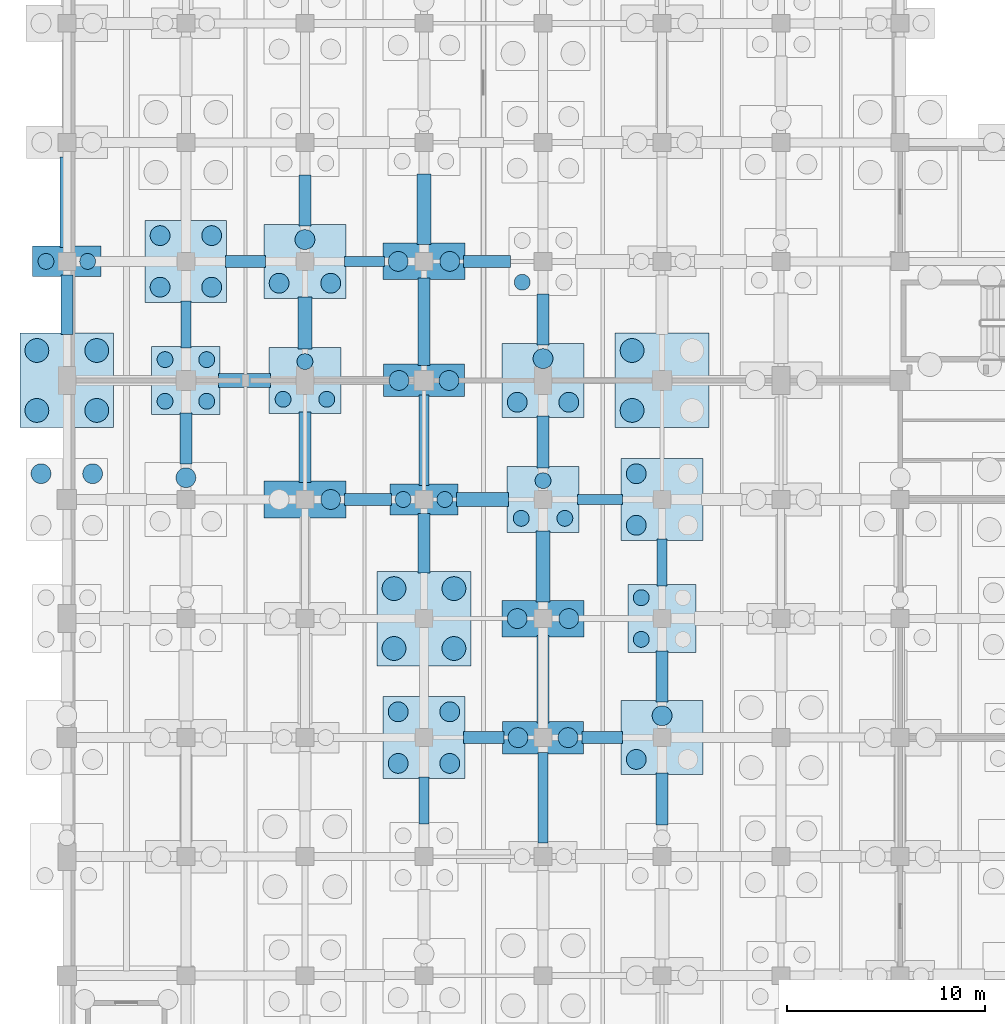
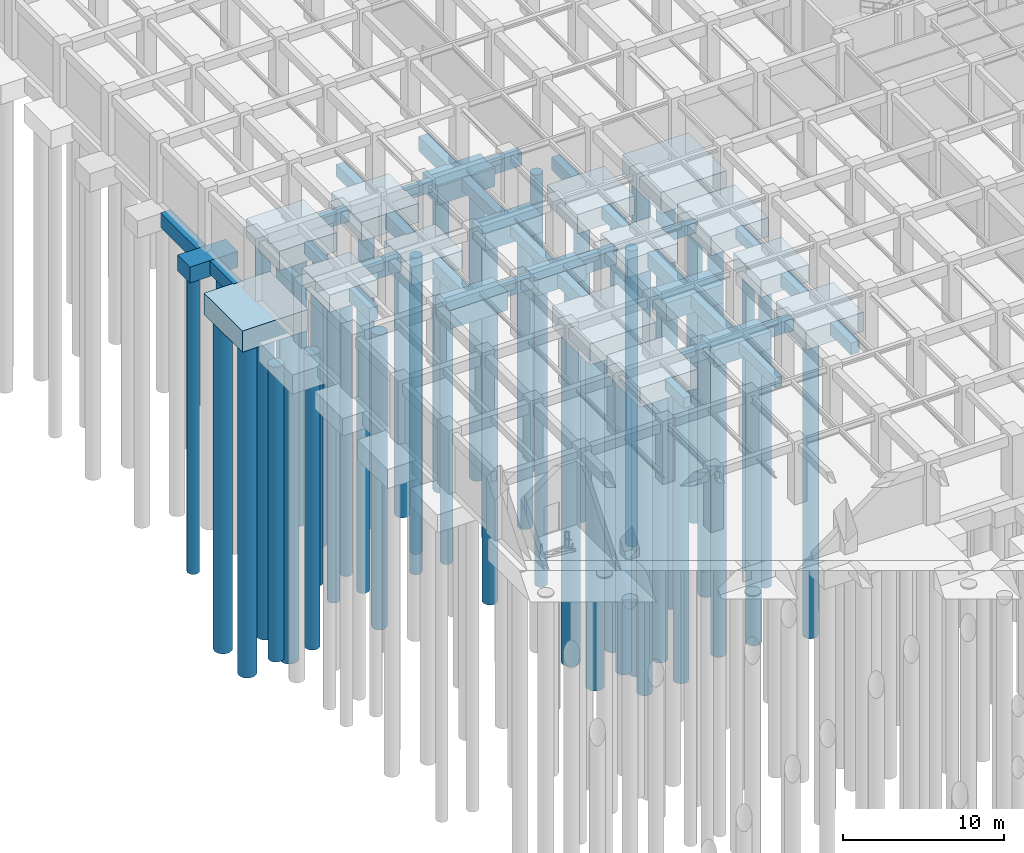
# One storey, part 9 of 54: 57 piles, 49 footings.
"""IFC4 building model written with IfcOpenShell, lengths in metres."""

from ifc_helpers import new_model, si_unit, direction, frame, origin, origin_2d, place, context, subcontext, project, spatial, rectangle, circle, extrude, material, material_profile, profile_set, type_object, element, save


model = new_model("IFC4")

# Units and contexts
model_context = context("Model", 3, precision=1e-05, world=origin(), true_north=direction((0.0, 1.0)))
body_context = subcontext(model_context, "Body", "Model", "MODEL_VIEW")
ifc_project = project(units=[si_unit("LENGTHUNIT", "METRE"), si_unit("AREAUNIT", "SQUARE_METRE"), si_unit("VOLUMEUNIT", "CUBIC_METRE"), si_unit("PLANEANGLEUNIT", "RADIAN"), si_unit("MASSUNIT", "GRAM", prefix="KILO"), si_unit("THERMODYNAMICTEMPERATUREUNIT", "KELVIN"), si_unit("POWERUNIT", "WATT")], contexts=[model_context])

# Site, building, storey
site_placement = place(None, origin())
site = spatial("IfcSite", under=ifc_project, at=site_placement, CompositionType="ELEMENT")
building_placement = place(site_placement, origin())
building = spatial("IfcBuilding", under=site, at=building_placement, Name="Phaisarnlok Congress Hotel", CompositionType="ELEMENT")
storey_placement = place(building_placement, frame((0.0, 0.0, -4.800048828125)))
storey = spatial("IfcBuildingStorey", under=building, at=storey_placement, Name="B01", CompositionType="ELEMENT", Elevation=-4.800048828125)

# Footings
ifc_material_1 = material(Name="Concrete C40/50", Category="concrete")
footing_type_1 = type_object("IfcFootingType", Name="CAP-2P-A", PredefinedType="PILE_CAP", material=ifc_material_1)
for number, where, z_axis, x_axis, name in (
    (1, (0.0, 90.0, -1.69970703125), (0.0, 0.0, 1.0), (1.0, 0.0, 0.0), "Pile cap PC-01 at (0,90)"),
    (2, (18.0, 78.0, -1.69970703125), (0.0, 0.0, 1.0), (1.0, 0.0, 0.0), "Pile cap PC-01 at (18,78)"),
):
    element("IfcFooting", number, at=place(storey_placement, frame(where, z_axis=z_axis, x_axis=x_axis)), inside=storey, type_object=footing_type_1, Name=name, PredefinedType="PILE_CAP", context=body_context, shape_type="SweptSolid", body=[
        extrude(rectangle(XDim=3.43994140625, YDim=1.5400390625, at=origin_2d()), origin(), (0.0, 0.0, 1.0), 1.199951171875),
    ])
footing_type_2 = type_object("IfcFootingType", Name="CAP-2P-B", PredefinedType="PILE_CAP", material=ifc_material_1)
for number, where, z_axis, x_axis, name in (
    (3, (18.0, 84.0, -1.7998046875), (0.0, 0.0, 1.0), (1.0, 0.0, 0.0), "Pile cap PC-02 at (18,84)"),
    (4, (24.0, 66.0, -1.7998046875), (0.0, 0.0, 1.0), (1.0, 0.0, 0.0), "Pile cap PC-02 at (24,66)"),
):
    element("IfcFooting", number, at=place(storey_placement, frame(where, z_axis=z_axis, x_axis=x_axis)), inside=storey, type_object=footing_type_2, Name=name, PredefinedType="PILE_CAP", context=body_context, shape_type="SweptSolid", body=[
        extrude(rectangle(XDim=4.080078125, YDim=1.639892578125, at=origin_2d()), origin(), (0.0, 0.0, 1.0), 1.300048828125),
    ])
footing_type_3 = type_object("IfcFootingType", Name="CAP-2P-C", PredefinedType="PILE_CAP", material=ifc_material_1)
for number, where, z_axis, x_axis, name in (
    (5, (12.0, 78.0, -1.89990234375), (0.0, 0.0, 1.0), (1.0, 0.0, 0.0), "Pile cap PC-03 at (12,78)"),
    (6, (18.0, 90.0, -1.89990234375), (0.0, 0.0, 1.0), (1.0, 0.0, 0.0), "Pile cap PC-03 at (18,90)"),
    (7, (24.0, 72.0, -1.89990234375), (0.0, 0.0, 1.0), (1.0, 0.0, 0.0), "Pile cap PC-03 at (24,72)"),
):
    element("IfcFooting", number, at=place(storey_placement, frame(where, z_axis=z_axis, x_axis=x_axis)), inside=storey, type_object=footing_type_3, Name=name, PredefinedType="PILE_CAP", context=body_context, shape_type="SweptSolid", body=[
        extrude(rectangle(XDim=4.1201171875, YDim=1.840087890625, at=origin_2d()), origin(), (0.0, 0.0, 1.0), 1.39990234375),
    ])
footing_type_4 = type_object("IfcFootingType", Name="CAP-3P-A", PredefinedType="PILE_CAP", material=ifc_material_1)
for number, where, z_axis, x_axis, name in (
    (8, (12.0, 84.0, -1.85009765625), (0.0, 0.0, 1.0), (1.0, 0.0, 0.0), "Pile cap PC-04 at (12,84)"),
    (9, (24.0, 78.0, -1.85009765625), (0.0, 0.0, 1.0), (1.0, 0.0, 0.0), "Pile cap PC-04 at (24,78)"),
):
    element("IfcFooting", number, at=place(storey_placement, frame(where, z_axis=z_axis, x_axis=x_axis)), inside=storey, type_object=footing_type_4, Name=name, PredefinedType="PILE_CAP", context=body_context, shape_type="SweptSolid", body=[
        extrude(rectangle(XDim=3.639892578125, YDim=3.340087890625, at=origin_2d()), origin(), (0.0, 0.0, 1.0), 1.35009765625),
    ])
footing_type_5 = type_object("IfcFootingType", Name="CAP-3P-B", PredefinedType="PILE_CAP", material=ifc_material_1)
for number, where, z_axis, x_axis, name in (
    (10, (12.0, 90.0, -1.94970703125), (0.0, 0.0, 1.0), (1.0, 0.0, 0.0), "Pile cap PC-05 at (12,90)"),
    (11, (24.0, 84.0, -1.94970703125), (0.0, 0.0, 1.0), (1.0, 0.0, 0.0), "Pile cap PC-05 at (24,84)"),
    (12, (30.0, 66.0, -1.94970703125), (0.0, 0.0, 1.0), (1.0, 0.0, 0.0), "Pile cap PC-05 at (30,66)"),
):
    element("IfcFooting", number, at=place(storey_placement, frame(where, z_axis=z_axis, x_axis=x_axis)), inside=storey, type_object=footing_type_5, Name=name, PredefinedType="PILE_CAP", context=body_context, shape_type="SweptSolid", body=[
        extrude(rectangle(XDim=4.1201171875, YDim=3.739990234375, at=origin_2d()), origin(), (0.0, 0.0, 1.0), 1.449951171875),
    ])
footing_type_6 = type_object("IfcFootingType", Name="CAP-4P-A", PredefinedType="PILE_CAP", material=ifc_material_1)
for number, where, z_axis, x_axis, name in (
    (13, (6.0, 84.0, -1.7998046875), (0.0, 0.0, 1.0), (1.0, 0.0, 0.0), "Pile cap PC-06 at (6,84)"),
    (14, (30.0, 72.0, -1.7998046875), (0.0, 0.0, 1.0), (1.0, 0.0, 0.0), "Pile cap PC-06 at (30,72)"),
):
    element("IfcFooting", number, at=place(storey_placement, frame(where, z_axis=z_axis, x_axis=x_axis)), inside=storey, type_object=footing_type_6, Name=name, PredefinedType="PILE_CAP", context=body_context, shape_type="SweptSolid", body=[
        extrude(rectangle(XDim=3.43994140625, YDim=3.43994140625, at=origin_2d()), origin(), (0.0, 0.0, 1.0), 1.300048828125),
    ])
footing_type_7 = type_object("IfcFootingType", Name="CAP-4P-B", PredefinedType="PILE_CAP", material=ifc_material_1)
for number, where, z_axis, x_axis, name in (
    (15, (6.0, 90.0, -1.94970703125), (0.0, 0.0, 1.0), (1.0, 0.0, 0.0), "Pile cap PC-07 at (6,90)"),
    (16, (18.0, 66.0, -1.94970703125), (0.0, 0.0, 1.0), (1.0, 0.0, 0.0), "Pile cap PC-07 at (18,66)"),
    (17, (30.0, 78.0, -1.94970703125), (0.0, 0.0, 1.0), (1.0, 0.0, 0.0), "Pile cap PC-07 at (30,78)"),
):
    element("IfcFooting", number, at=place(storey_placement, frame(where, z_axis=z_axis, x_axis=x_axis)), inside=storey, type_object=footing_type_7, Name=name, PredefinedType="PILE_CAP", context=body_context, shape_type="SweptSolid", body=[
        extrude(rectangle(XDim=4.1201171875, YDim=4.1201171875, at=origin_2d()), origin(), (0.0, 0.0, 1.0), 1.449951171875),
    ])
footing_type_8 = type_object("IfcFootingType", Name="CAP-4P-C", PredefinedType="PILE_CAP", material=ifc_material_1)
for number, where, z_axis, x_axis, name in (
    (18, (0.0, 84.0, -2.10009765625), (0.0, 0.0, 1.0), (1.0, 0.0, 0.0), "Pile cap PC-08 at (0,84)"),
    (19, (18.0, 72.0, -2.10009765625), (0.0, 0.0, 1.0), (1.0, 0.0, 0.0), "Pile cap PC-08 at (18,72)"),
    (20, (30.0, 84.0, -2.10009765625), (0.0, 0.0, 1.0), (1.0, 0.0, 0.0), "Pile cap PC-08 at (30,84)"),
):
    element("IfcFooting", number, at=place(storey_placement, frame(where, z_axis=z_axis, x_axis=x_axis)), inside=storey, type_object=footing_type_8, Name=name, PredefinedType="PILE_CAP", context=body_context, shape_type="SweptSolid", body=[
        extrude(rectangle(XDim=4.719970703125, YDim=4.760009765625, at=origin_2d()), origin(), (0.0, 0.0, 1.0), 1.60009765625),
    ])
ifc_material_profile_1 = material_profile(ifc_material_1, rectangle(XDim=0.5, YDim=0.800048828125, at=origin_2d()), Name="FB-500x800")
ifc_profile_set_1 = profile_set([ifc_material_profile_1], Name="Concrete C40/50")
footing_type_9 = type_object("IfcFootingType", Name="FB-500x800", PredefinedType="FOOTING_BEAM", material=ifc_profile_set_1)
footing_1_placement = place(storey_placement, frame((6.0, 85.64501953125, -0.89990234375), z_axis=(0.0, 1.0, 0.0), x_axis=(-1.0, 0.0, 0.0)))
element("IfcFooting", 21, at=footing_1_placement, inside=storey, type_object=footing_type_9, Name="Ground tie beam FB-01", PredefinedType="FOOTING_BEAM", context=body_context, shape_type="SweptSolid", body=[
    extrude(rectangle(XDim=0.5, YDim=0.800048828125, at=origin_2d()), origin(), (0.0, 0.0, 1.0), 2.369873046875),
])
footing_2_placement = place(storey_placement, frame((13.985107421875, 90.0, -0.89990234375), z_axis=(1.0, 0.0, 0.0), x_axis=(0.0, 1.0, 0.0)))
element("IfcFooting", 22, at=footing_2_placement, inside=storey, type_object=footing_type_9, Name="Ground tie beam FB-01", PredefinedType="FOOTING_BEAM", context=body_context, shape_type="SweptSolid", body=[
    extrude(rectangle(XDim=0.5, YDim=0.800048828125, at=origin_2d()), origin(), (0.0, 0.0, 1.0), 2.02978515625),
])
footing_3_placement = place(storey_placement, frame((18.0, 61.64501953125, -0.89990234375), z_axis=(0.0, 1.0, 0.0), x_axis=(-1.0, 0.0, 0.0)))
element("IfcFooting", 23, at=footing_3_placement, inside=storey, type_object=footing_type_9, Name="Ground tie beam FB-01", PredefinedType="FOOTING_BEAM", context=body_context, shape_type="SweptSolid", body=[
    extrude(rectangle(XDim=0.5, YDim=0.800048828125, at=origin_2d()), origin(), (0.0, 0.0, 1.0), 2.369873046875),
])
for number, where, z_axis, x_axis, name in (
    (24, (18.0, 78.695068359375, -0.89990234375), (0.0, 1.0, 0.0), (-1.0, 0.0, 0.0), "Ground tie beam FB-01"),
    (25, (24.0, 60.695068359375, -0.89990234375), (0.0, 1.0, 0.0), (-1.0, 0.0, 0.0), "Ground tie beam FB-01"),
):
    element("IfcFooting", number, at=place(storey_placement, frame(where, z_axis=z_axis, x_axis=x_axis)), inside=storey, type_object=footing_type_9, Name=name, PredefinedType="FOOTING_BEAM", context=body_context, shape_type="SweptSolid", body=[
        extrude(rectangle(XDim=0.5, YDim=0.800048828125, at=origin_2d()), origin(), (0.0, 0.0, 1.0), 4.559814453125),
    ])
footing_4_placement = place(storey_placement, frame((25.7451171875, 78.0, -0.89990234375), z_axis=(1.0, 0.0, 0.0), x_axis=(0.0, 1.0, 0.0)))
element("IfcFooting", 26, at=footing_4_placement, inside=storey, type_object=footing_type_9, Name="Ground tie beam FB-01", PredefinedType="FOOTING_BEAM", context=body_context, shape_type="SweptSolid", body=[
    extrude(rectangle(XDim=0.5, YDim=0.800048828125, at=origin_2d()), origin(), (0.0, 0.0, 1.0), 2.269775390625),
])
footing_5_placement = place(storey_placement, frame((30.0, 73.64501953125, -0.89990234375), z_axis=(0.0, 1.0, 0.0), x_axis=(-1.0, 0.0, 0.0)))
element("IfcFooting", 27, at=footing_5_placement, inside=storey, type_object=footing_type_9, Name="Ground tie beam FB-01", PredefinedType="FOOTING_BEAM", context=body_context, shape_type="SweptSolid", body=[
    extrude(rectangle(XDim=0.5, YDim=0.800048828125, at=origin_2d()), origin(), (0.0, 0.0, 1.0), 2.369873046875),
])
ifc_material_profile_2 = material_profile(ifc_material_1, rectangle(XDim=0.60009765625, YDim=1.0, at=origin_2d()), Name="FB-600x1000")
ifc_profile_set_2 = profile_set([ifc_material_profile_2], Name="Concrete C40/50")
footing_type_10 = type_object("IfcFootingType", Name="FB-600x1000", PredefinedType="FOOTING_BEAM", material=ifc_profile_set_2)
footing_6_placement = place(storey_placement, frame((0.0, 86.304931640625, -1.0), z_axis=(0.0, 1.0, 0.0), x_axis=(-1.0, 0.0, 0.0)))
element("IfcFooting", 28, at=footing_6_placement, inside=storey, type_object=footing_type_10, Name="Ground tie beam FB-03", PredefinedType="FOOTING_BEAM", context=body_context, shape_type="SweptSolid", body=[
    extrude(rectangle(XDim=0.60009765625, YDim=1.0, at=origin_2d()), origin(), (0.0, 0.0, 1.0), 3.0),
])
footing_7_placement = place(storey_placement, frame((6.0, 79.794921875, -1.0), z_axis=(0.0, 1.0, 0.0), x_axis=(-1.0, 0.0, 0.0)))
element("IfcFooting", 29, at=footing_7_placement, inside=storey, type_object=footing_type_10, Name="Ground tie beam FB-03", PredefinedType="FOOTING_BEAM", context=body_context, shape_type="SweptSolid", body=[
    extrude(rectangle(XDim=0.60009765625, YDim=1.0, at=origin_2d()), origin(), (0.0, 0.0, 1.0), 2.56005859375),
])
footing_8_placement = place(storey_placement, frame((12.0, 78.844970703125, -1.0), z_axis=(0.0, 1.0, 0.0), x_axis=(-1.0, 0.0, 0.0)))
element("IfcFooting", 30, at=footing_8_placement, inside=storey, type_object=footing_type_10, Name="Ground tie beam FB-03", PredefinedType="FOOTING_BEAM", context=body_context, shape_type="SweptSolid", body=[
    extrude(rectangle(XDim=0.60009765625, YDim=1.0, at=origin_2d()), origin(), (0.0, 0.0, 1.0), 3.56005859375),
])
footing_9_placement = place(storey_placement, frame((18.0, 74.304931640625, -1.0), z_axis=(0.0, 1.0, 0.0), x_axis=(-1.0, 0.0, 0.0)))
element("IfcFooting", 31, at=footing_9_placement, inside=storey, type_object=footing_type_10, Name="Ground tie beam FB-03", PredefinedType="FOOTING_BEAM", context=body_context, shape_type="SweptSolid", body=[
    extrude(rectangle(XDim=0.60009765625, YDim=1.0, at=origin_2d()), origin(), (0.0, 0.0, 1.0), 3.0),
])
footing_10_placement = place(storey_placement, frame((19.985107421875, 90.0, -1.0), z_axis=(1.0, 0.0, 0.0), x_axis=(0.0, 1.0, 0.0)))
element("IfcFooting", 32, at=footing_10_placement, inside=storey, type_object=footing_type_10, Name="Ground tie beam FB-03", PredefinedType="FOOTING_BEAM", context=body_context, shape_type="SweptSolid", body=[
    extrude(rectangle(XDim=0.60009765625, YDim=1.0, at=origin_2d()), origin(), (0.0, 0.0, 1.0), 2.369873046875),
])
footing_11_placement = place(storey_placement, frame((24.0, 66.7451171875, -1.0), z_axis=(0.0, 1.0, 0.0), x_axis=(-1.0, 0.0, 0.0)))
element("IfcFooting", 33, at=footing_11_placement, inside=storey, type_object=footing_type_10, Name="Ground tie beam FB-03", PredefinedType="FOOTING_BEAM", context=body_context, shape_type="SweptSolid", body=[
    extrude(rectangle(XDim=0.60009765625, YDim=1.0, at=origin_2d()), origin(), (0.0, 0.0, 1.0), 4.409912109375),
])
for number, where, z_axis, x_axis, name in (
    (34, (24.0, 85.794921875, -1.0), (0.0, 1.0, 0.0), (-1.0, 0.0, 0.0), "Ground tie beam FB-03"),
    (35, (30.0, 67.794921875, -1.0), (0.0, 1.0, 0.0), (-1.0, 0.0, 0.0), "Ground tie beam FB-03"),
):
    element("IfcFooting", number, at=place(storey_placement, frame(where, z_axis=z_axis, x_axis=x_axis)), inside=storey, type_object=footing_type_10, Name=name, PredefinedType="FOOTING_BEAM", context=body_context, shape_type="SweptSolid", body=[
        extrude(rectangle(XDim=0.60009765625, YDim=1.0, at=origin_2d()), origin(), (0.0, 0.0, 1.0), 2.56005859375),
    ])
ifc_material_profile_3 = material_profile(ifc_material_1, rectangle(XDim=0.60009765625, YDim=0.89990234375, at=origin_2d()), Name="FB-600x900")
ifc_profile_set_3 = profile_set([ifc_material_profile_3], Name="Concrete C40/50")
footing_type_11 = type_object("IfcFootingType", Name="FB-600x900", PredefinedType="FOOTING_BEAM", material=ifc_profile_set_3)
footing_12_placement = place(storey_placement, frame((7.985107421875, 90.0, -0.949951171875), z_axis=(1.0, 0.0, 0.0), x_axis=(0.0, 1.0, 0.0)))
element("IfcFooting", 36, at=footing_12_placement, inside=storey, type_object=footing_type_11, Name="Ground tie beam FB-02", PredefinedType="FOOTING_BEAM", context=body_context, shape_type="SweptSolid", body=[
    extrude(rectangle(XDim=0.60009765625, YDim=0.89990234375, at=origin_2d()), origin(), (0.0, 0.0, 1.0), 2.02978515625),
])
footing_13_placement = place(storey_placement, frame((13.985107421875, 78.0, -0.949951171875), z_axis=(1.0, 0.0, 0.0), x_axis=(0.0, 1.0, 0.0)))
element("IfcFooting", 37, at=footing_13_placement, inside=storey, type_object=footing_type_11, Name="Ground tie beam FB-02", PredefinedType="FOOTING_BEAM", context=body_context, shape_type="SweptSolid", body=[
    extrude(rectangle(XDim=0.60009765625, YDim=0.89990234375, at=origin_2d()), origin(), (0.0, 0.0, 1.0), 2.369873046875),
])
footing_14_placement = place(storey_placement, frame((12.0, 91.794921875, -0.949951171875), z_axis=(0.0, 1.0, 0.0), x_axis=(-1.0, 0.0, 0.0)))
element("IfcFooting", 38, at=footing_14_placement, inside=storey, type_object=footing_type_11, Name="Ground tie beam FB-02", PredefinedType="FOOTING_BEAM", context=body_context, shape_type="SweptSolid", body=[
    extrude(rectangle(XDim=0.60009765625, YDim=0.89990234375, at=origin_2d()), origin(), (0.0, 0.0, 1.0), 2.56005859375),
])
footing_15_placement = place(storey_placement, frame((19.985107421875, 66.0, -0.949951171875), z_axis=(1.0, 0.0, 0.0), x_axis=(0.0, 1.0, 0.0)))
element("IfcFooting", 39, at=footing_15_placement, inside=storey, type_object=footing_type_11, Name="Ground tie beam FB-02", PredefinedType="FOOTING_BEAM", context=body_context, shape_type="SweptSolid", body=[
    extrude(rectangle(XDim=0.60009765625, YDim=0.89990234375, at=origin_2d()), origin(), (0.0, 0.0, 1.0), 2.0498046875),
])
footing_16_placement = place(storey_placement, frame((18.0, 84.7451171875, -0.949951171875), z_axis=(0.0, 1.0, 0.0), x_axis=(-1.0, 0.0, 0.0)))
element("IfcFooting", 40, at=footing_16_placement, inside=storey, type_object=footing_type_11, Name="Ground tie beam FB-02", PredefinedType="FOOTING_BEAM", context=body_context, shape_type="SweptSolid", body=[
    extrude(rectangle(XDim=0.60009765625, YDim=0.89990234375, at=origin_2d()), origin(), (0.0, 0.0, 1.0), 4.409912109375),
])
footing_17_placement = place(storey_placement, frame((25.965087890625, 66.0, -0.949951171875), z_axis=(1.0, 0.0, 0.0), x_axis=(0.0, 1.0, 0.0)))
element("IfcFooting", 41, at=footing_17_placement, inside=storey, type_object=footing_type_11, Name="Ground tie beam FB-02", PredefinedType="FOOTING_BEAM", context=body_context, shape_type="SweptSolid", body=[
    extrude(rectangle(XDim=0.60009765625, YDim=0.89990234375, at=origin_2d()), origin(), (0.0, 0.0, 1.0), 2.0498046875),
])
for number, where, z_axis, x_axis, name in (
    (42, (24.0, 79.594970703125, -0.949951171875), (0.0, 1.0, 0.0), (-1.0, 0.0, 0.0), "Ground tie beam FB-02"),
    (43, (30.0, 61.594970703125, -0.949951171875), (0.0, 1.0, 0.0), (-1.0, 0.0, 0.0), "Ground tie beam FB-02"),
):
    element("IfcFooting", number, at=place(storey_placement, frame(where, z_axis=z_axis, x_axis=x_axis)), inside=storey, type_object=footing_type_11, Name=name, PredefinedType="FOOTING_BEAM", context=body_context, shape_type="SweptSolid", body=[
        extrude(rectangle(XDim=0.60009765625, YDim=0.89990234375, at=origin_2d()), origin(), (0.0, 0.0, 1.0), 2.610107421875),
    ])
ifc_material_profile_4 = material_profile(ifc_material_1, rectangle(XDim=0.699951171875, YDim=1.10009765625, at=origin_2d()), Name="FB-700x1100")
ifc_profile_set_4 = profile_set([ifc_material_profile_4], Name="Concrete C40/50")
footing_type_12 = type_object("IfcFootingType", Name="FB-700x1100", PredefinedType="FOOTING_BEAM", material=ifc_profile_set_4)
footing_18_placement = place(storey_placement, frame((0.0, 90.695068359375, -1.050048828125), z_axis=(0.0, 1.0, 0.0), x_axis=(-1.0, 0.0, 0.0)))
element("IfcFooting", 44, at=footing_18_placement, inside=storey, type_object=footing_type_12, Name="Ground tie beam FB-04", PredefinedType="FOOTING_BEAM", context=body_context, shape_type="SweptSolid", body=[
    extrude(rectangle(XDim=0.699951171875, YDim=1.10009765625, at=origin_2d()), origin(), (0.0, 0.0, 1.0), 4.559814453125),
])
footing_19_placement = place(storey_placement, frame((7.64501953125, 84.0, -1.050048828125), z_axis=(1.0, 0.0, 0.0), x_axis=(0.0, 1.0, 0.0)))
element("IfcFooting", 45, at=footing_19_placement, inside=storey, type_object=footing_type_12, Name="Ground tie beam FB-04", PredefinedType="FOOTING_BEAM", context=body_context, shape_type="SweptSolid", body=[
    extrude(rectangle(XDim=0.699951171875, YDim=1.10009765625, at=origin_2d()), origin(), (0.0, 0.0, 1.0), 2.60986328125),
])
footing_20_placement = place(storey_placement, frame((12.0, 85.594970703125, -1.050048828125), z_axis=(0.0, 1.0, 0.0), x_axis=(-1.0, 0.0, 0.0)))
element("IfcFooting", 46, at=footing_20_placement, inside=storey, type_object=footing_type_12, Name="Ground tie beam FB-04", PredefinedType="FOOTING_BEAM", context=body_context, shape_type="SweptSolid", body=[
    extrude(rectangle(XDim=0.699951171875, YDim=1.10009765625, at=origin_2d()), origin(), (0.0, 0.0, 1.0), 2.610107421875),
])
footing_21_placement = place(storey_placement, frame((19.64501953125, 78.0, -1.050048828125), z_axis=(1.0, 0.0, 0.0), x_axis=(0.0, 1.0, 0.0)))
element("IfcFooting", 47, at=footing_21_placement, inside=storey, type_object=footing_type_12, Name="Ground tie beam FB-04", PredefinedType="FOOTING_BEAM", context=body_context, shape_type="SweptSolid", body=[
    extrude(rectangle(XDim=0.699951171875, YDim=1.10009765625, at=origin_2d()), origin(), (0.0, 0.0, 1.0), 2.60986328125),
])
for number, where, z_axis, x_axis, name in (
    (48, (18.0, 90.844970703125, -1.050048828125), (0.0, 1.0, 0.0), (-1.0, 0.0, 0.0), "Ground tie beam FB-04"),
    (49, (24.0, 72.844970703125, -1.050048828125), (0.0, 1.0, 0.0), (-1.0, 0.0, 0.0), "Ground tie beam FB-04"),
):
    element("IfcFooting", number, at=place(storey_placement, frame(where, z_axis=z_axis, x_axis=x_axis)), inside=storey, type_object=footing_type_12, Name=name, PredefinedType="FOOTING_BEAM", context=body_context, shape_type="SweptSolid", body=[
        extrude(rectangle(XDim=0.699951171875, YDim=1.10009765625, at=origin_2d()), origin(), (0.0, 0.0, 1.0), 3.56005859375),
    ])

# Piles
ifc_material_2 = material(Name="Concrete C35/45", Category="concrete")
ifc_material_profile_5 = material_profile(ifc_material_2, circle(Radius=0.5, at=origin_2d()), Name="BORED PILE D1000")
ifc_profile_set_5 = profile_set([ifc_material_profile_5], Name="Concrete C35/45")
pile_type_1 = type_object("IfcPileType", Name="PILE-D1000", PredefinedType="BORED", material=ifc_profile_set_5)
for number, where, z_axis, x_axis, name in (
    (50, (-1.300048828125, 79.300048828125, -1.849853515625), (0.0, 0.0, -1.0), (1.0, 0.0, 0.0), "Bored pile PL-02 (FTG-B01-000-078-3)"),
    (51, (1.300048828125, 79.300048828125, -1.849853515625), (0.0, 0.0, -1.0), (1.0, 0.0, 0.0), "Bored pile PL-02 (FTG-B01-000-078-4)"),
    (52, (6.0, 79.10009765625, -1.849853515625), (0.0, 0.0, -1.0), (1.0, 0.0, 0.0), "Bored pile PL-02 (FTG-B01-006-078-3)"),
    (53, (4.699951171875, 88.699951171875, -1.849853515625), (0.0, 0.0, -1.0), (1.0, 0.0, 0.0), "Bored pile PL-02 (FTG-B01-006-090-1)"),
    (54, (7.300048828125, 88.699951171875, -1.849853515625), (0.0, 0.0, -1.0), (1.0, 0.0, 0.0), "Bored pile PL-02 (FTG-B01-006-090-2)"),
    (55, (4.699951171875, 91.300048828125, -1.849853515625), (0.0, 0.0, -1.0), (1.0, 0.0, 0.0), "Bored pile PL-02 (FTG-B01-006-090-3)"),
    (56, (7.300048828125, 91.300048828125, -1.849853515625), (0.0, 0.0, -1.0), (1.0, 0.0, 0.0), "Bored pile PL-02 (FTG-B01-006-090-4)"),
):
    element("IfcPile", number, at=place(storey_placement, frame(where, z_axis=z_axis, x_axis=x_axis)), inside=storey, type_object=pile_type_1, Name=name, PredefinedType="BORED", context=body_context, shape_type="SweptSolid", body=[
        extrude(circle(Radius=0.5, at=origin_2d()), origin(), (0.0, 0.0, 1.0), 22.35009765625),
    ])
pile_placement = place(storey_placement, frame((13.300048828125, 78.0, -1.800048828125), z_axis=(0.0, 0.0, -1.0), x_axis=(1.0, 0.0, 0.0)))
element("IfcPile", 57, at=pile_placement, inside=storey, type_object=pile_type_1, Name="Bored pile PL-02 (FTG-B01-012-078-2)", PredefinedType="BORED", context=body_context, shape_type="SweptSolid", body=[
    extrude(circle(Radius=0.5, at=origin_2d()), origin(), (0.0, 0.0, 1.0), 22.39990234375),
])
for number, where, z_axis, x_axis, name in (
    (58, (10.699951171875, 88.89990234375, -1.849853515625), (0.0, 0.0, -1.0), (1.0, 0.0, 0.0), "Bored pile PL-02 (FTG-B01-012-090-1)"),
    (59, (13.300048828125, 88.89990234375, -1.849853515625), (0.0, 0.0, -1.0), (1.0, 0.0, 0.0), "Bored pile PL-02 (FTG-B01-012-090-2)"),
    (60, (12.0, 91.10009765625, -1.849853515625), (0.0, 0.0, -1.0), (1.0, 0.0, 0.0), "Bored pile PL-02 (FTG-B01-012-090-3)"),
    (61, (16.699951171875, 64.699951171875, -1.849853515625), (0.0, 0.0, -1.0), (1.0, 0.0, 0.0), "Bored pile PL-02 (FTG-B01-018-066-1)"),
    (62, (19.300048828125, 64.699951171875, -1.849853515625), (0.0, 0.0, -1.0), (1.0, 0.0, 0.0), "Bored pile PL-02 (FTG-B01-018-066-2)"),
    (63, (16.699951171875, 67.300048828125, -1.849853515625), (0.0, 0.0, -1.0), (1.0, 0.0, 0.0), "Bored pile PL-02 (FTG-B01-018-066-3)"),
    (64, (19.300048828125, 67.300048828125, -1.849853515625), (0.0, 0.0, -1.0), (1.0, 0.0, 0.0), "Bored pile PL-02 (FTG-B01-018-066-4)"),
):
    element("IfcPile", number, at=place(storey_placement, frame(where, z_axis=z_axis, x_axis=x_axis)), inside=storey, type_object=pile_type_1, Name=name, PredefinedType="BORED", context=body_context, shape_type="SweptSolid", body=[
        extrude(circle(Radius=0.5, at=origin_2d()), origin(), (0.0, 0.0, 1.0), 22.35009765625),
    ])
for number, where, z_axis, x_axis, name in (
    (65, (16.739990234375, 84.0, -1.699951171875), (0.0, 0.0, -1.0), (1.0, 0.0, 0.0), "Bored pile PL-02 (FTG-B01-018-084-1)"),
    (66, (19.260009765625, 84.0, -1.699951171875), (0.0, 0.0, -1.0), (1.0, 0.0, 0.0), "Bored pile PL-02 (FTG-B01-018-084-2)"),
):
    element("IfcPile", number, at=place(storey_placement, frame(where, z_axis=z_axis, x_axis=x_axis)), inside=storey, type_object=pile_type_1, Name=name, PredefinedType="BORED", context=body_context, shape_type="SweptSolid", body=[
        extrude(circle(Radius=0.5, at=origin_2d()), origin(), (0.0, 0.0, 1.0), 22.5),
    ])
for number, where, z_axis, x_axis, name in (
    (67, (16.699951171875, 90.0, -1.800048828125), (0.0, 0.0, -1.0), (1.0, 0.0, 0.0), "Bored pile PL-02 (FTG-B01-018-090-1)"),
    (68, (19.300048828125, 90.0, -1.800048828125), (0.0, 0.0, -1.0), (1.0, 0.0, 0.0), "Bored pile PL-02 (FTG-B01-018-090-2)"),
):
    element("IfcPile", number, at=place(storey_placement, frame(where, z_axis=z_axis, x_axis=x_axis)), inside=storey, type_object=pile_type_1, Name=name, PredefinedType="BORED", context=body_context, shape_type="SweptSolid", body=[
        extrude(circle(Radius=0.5, at=origin_2d()), origin(), (0.0, 0.0, 1.0), 22.39990234375),
    ])
for number, where, z_axis, x_axis, name in (
    (69, (22.739990234375, 66.0, -1.699951171875), (0.0, 0.0, -1.0), (1.0, 0.0, 0.0), "Bored pile PL-02 (FTG-B01-024-066-1)"),
    (70, (25.260009765625, 66.0, -1.699951171875), (0.0, 0.0, -1.0), (1.0, 0.0, 0.0), "Bored pile PL-02 (FTG-B01-024-066-2)"),
):
    element("IfcPile", number, at=place(storey_placement, frame(where, z_axis=z_axis, x_axis=x_axis)), inside=storey, type_object=pile_type_1, Name=name, PredefinedType="BORED", context=body_context, shape_type="SweptSolid", body=[
        extrude(circle(Radius=0.5, at=origin_2d()), origin(), (0.0, 0.0, 1.0), 22.5),
    ])
for number, where, z_axis, x_axis, name in (
    (71, (22.699951171875, 72.0, -1.800048828125), (0.0, 0.0, -1.0), (1.0, 0.0, 0.0), "Bored pile PL-02 (FTG-B01-024-072-1)"),
    (72, (25.300048828125, 72.0, -1.800048828125), (0.0, 0.0, -1.0), (1.0, 0.0, 0.0), "Bored pile PL-02 (FTG-B01-024-072-2)"),
):
    element("IfcPile", number, at=place(storey_placement, frame(where, z_axis=z_axis, x_axis=x_axis)), inside=storey, type_object=pile_type_1, Name=name, PredefinedType="BORED", context=body_context, shape_type="SweptSolid", body=[
        extrude(circle(Radius=0.5, at=origin_2d()), origin(), (0.0, 0.0, 1.0), 22.39990234375),
    ])
for number, where, z_axis, x_axis, name in (
    (73, (22.699951171875, 82.89990234375, -1.849853515625), (0.0, 0.0, -1.0), (1.0, 0.0, 0.0), "Bored pile PL-02 (FTG-B01-024-084-1)"),
    (74, (25.300048828125, 82.89990234375, -1.849853515625), (0.0, 0.0, -1.0), (1.0, 0.0, 0.0), "Bored pile PL-02 (FTG-B01-024-084-2)"),
    (75, (24.0, 85.10009765625, -1.849853515625), (0.0, 0.0, -1.0), (1.0, 0.0, 0.0), "Bored pile PL-02 (FTG-B01-024-084-3)"),
    (76, (28.699951171875, 64.89990234375, -1.849853515625), (0.0, 0.0, -1.0), (1.0, 0.0, 0.0), "Bored pile PL-02 (FTG-B01-030-066-1)"),
    (77, (30.0, 67.10009765625, -1.849853515625), (0.0, 0.0, -1.0), (1.0, 0.0, 0.0), "Bored pile PL-02 (FTG-B01-030-066-3)"),
    (78, (28.699951171875, 76.699951171875, -1.849853515625), (0.0, 0.0, -1.0), (1.0, 0.0, 0.0), "Bored pile PL-02 (FTG-B01-030-078-1)"),
    (79, (28.699951171875, 79.300048828125, -1.849853515625), (0.0, 0.0, -1.0), (1.0, 0.0, 0.0), "Bored pile PL-02 (FTG-B01-030-078-3)"),
):
    element("IfcPile", number, at=place(storey_placement, frame(where, z_axis=z_axis, x_axis=x_axis)), inside=storey, type_object=pile_type_1, Name=name, PredefinedType="BORED", context=body_context, shape_type="SweptSolid", body=[
        extrude(circle(Radius=0.5, at=origin_2d()), origin(), (0.0, 0.0, 1.0), 22.35009765625),
    ])
ifc_material_profile_6 = material_profile(ifc_material_2, circle(Radius=0.60009765625, at=origin_2d()), Name="BORED PILE D1200")
ifc_profile_set_6 = profile_set([ifc_material_profile_6], Name="Concrete C35/45")
pile_type_2 = type_object("IfcPileType", Name="PILE-D1200", PredefinedType="BORED", material=ifc_profile_set_6)
for number, where, z_axis, x_axis, name in (
    (80, (-1.510009765625, 82.489990234375, -2.0), (0.0, 0.0, -1.0), (1.0, 0.0, 0.0), "Bored pile PL-03 (FTG-B01-000-084-1)"),
    (81, (1.510009765625, 82.489990234375, -2.0), (0.0, 0.0, -1.0), (1.0, 0.0, 0.0), "Bored pile PL-03 (FTG-B01-000-084-2)"),
    (82, (-1.510009765625, 85.510009765625, -2.0), (0.0, 0.0, -1.0), (1.0, 0.0, 0.0), "Bored pile PL-03 (FTG-B01-000-084-3)"),
    (83, (1.510009765625, 85.510009765625, -2.0), (0.0, 0.0, -1.0), (1.0, 0.0, 0.0), "Bored pile PL-03 (FTG-B01-000-084-4)"),
    (84, (16.489990234375, 70.489990234375, -2.0), (0.0, 0.0, -1.0), (1.0, 0.0, 0.0), "Bored pile PL-03 (FTG-B01-018-072-1)"),
    (85, (19.510009765625, 70.489990234375, -2.0), (0.0, 0.0, -1.0), (1.0, 0.0, 0.0), "Bored pile PL-03 (FTG-B01-018-072-2)"),
    (86, (16.489990234375, 73.510009765625, -2.0), (0.0, 0.0, -1.0), (1.0, 0.0, 0.0), "Bored pile PL-03 (FTG-B01-018-072-3)"),
    (87, (19.510009765625, 73.510009765625, -2.0), (0.0, 0.0, -1.0), (1.0, 0.0, 0.0), "Bored pile PL-03 (FTG-B01-018-072-4)"),
    (88, (28.489990234375, 82.489990234375, -2.0), (0.0, 0.0, -1.0), (1.0, 0.0, 0.0), "Bored pile PL-03 (FTG-B01-030-084-1)"),
    (89, (28.489990234375, 85.510009765625, -2.0), (0.0, 0.0, -1.0), (1.0, 0.0, 0.0), "Bored pile PL-03 (FTG-B01-030-084-3)"),
):
    element("IfcPile", number, at=place(storey_placement, frame(where, z_axis=z_axis, x_axis=x_axis)), inside=storey, type_object=pile_type_2, Name=name, PredefinedType="BORED", context=body_context, shape_type="SweptSolid", body=[
        extrude(circle(Radius=0.60009765625, at=origin_2d()), origin(), (0.0, 0.0, 1.0), 25.199951171875),
    ])
ifc_material_profile_7 = material_profile(ifc_material_2, circle(Radius=0.39990234375, at=origin_2d()), Name="BORED PILE D800")
ifc_profile_set_7 = profile_set([ifc_material_profile_7], Name="Concrete C35/45")
pile_type_3 = type_object("IfcPileType", Name="PILE-D800", PredefinedType="BORED", material=ifc_profile_set_7)
for number, where, z_axis, x_axis, name in (
    (90, (-1.050048828125, 90.0, -1.599853515625), (0.0, 0.0, -1.0), (1.0, 0.0, 0.0), "Bored pile PL-01 (FTG-B01-000-090-1)"),
    (91, (1.050048828125, 90.0, -1.599853515625), (0.0, 0.0, -1.0), (1.0, 0.0, 0.0), "Bored pile PL-01 (FTG-B01-000-090-2)"),
):
    element("IfcPile", number, at=place(storey_placement, frame(where, z_axis=z_axis, x_axis=x_axis)), inside=storey, type_object=pile_type_3, Name=name, PredefinedType="BORED", context=body_context, shape_type="SweptSolid", body=[
        extrude(circle(Radius=0.39990234375, at=origin_2d()), origin(), (0.0, 0.0, 1.0), 22.60009765625),
    ])
for number, where, z_axis, x_axis, name in (
    (92, (4.949951171875, 82.949951171875, -1.699951171875), (0.0, 0.0, -1.0), (1.0, 0.0, 0.0), "Bored pile PL-01 (FTG-B01-006-084-1)"),
    (93, (7.050048828125, 82.949951171875, -1.699951171875), (0.0, 0.0, -1.0), (1.0, 0.0, 0.0), "Bored pile PL-01 (FTG-B01-006-084-2)"),
    (94, (4.949951171875, 85.050048828125, -1.699951171875), (0.0, 0.0, -1.0), (1.0, 0.0, 0.0), "Bored pile PL-01 (FTG-B01-006-084-3)"),
    (95, (7.050048828125, 85.050048828125, -1.699951171875), (0.0, 0.0, -1.0), (1.0, 0.0, 0.0), "Bored pile PL-01 (FTG-B01-006-084-4)"),
):
    element("IfcPile", number, at=place(storey_placement, frame(where, z_axis=z_axis, x_axis=x_axis)), inside=storey, type_object=pile_type_3, Name=name, PredefinedType="BORED", context=body_context, shape_type="SweptSolid", body=[
        extrude(circle(Radius=0.39990234375, at=origin_2d()), origin(), (0.0, 0.0, 1.0), 22.5),
    ])
for number, where, z_axis, x_axis, name in (
    (96, (10.89990234375, 83.050048828125, -1.75), (0.0, 0.0, -1.0), (1.0, 0.0, 0.0), "Bored pile PL-01 (FTG-B01-012-084-1)"),
    (97, (13.10009765625, 83.050048828125, -1.75), (0.0, 0.0, -1.0), (1.0, 0.0, 0.0), "Bored pile PL-01 (FTG-B01-012-084-2)"),
    (98, (12.0, 84.949951171875, -1.75), (0.0, 0.0, -1.0), (1.0, 0.0, 0.0), "Bored pile PL-01 (FTG-B01-012-084-3)"),
):
    element("IfcPile", number, at=place(storey_placement, frame(where, z_axis=z_axis, x_axis=x_axis)), inside=storey, type_object=pile_type_3, Name=name, PredefinedType="BORED", context=body_context, shape_type="SweptSolid", body=[
        extrude(circle(Radius=0.39990234375, at=origin_2d()), origin(), (0.0, 0.0, 1.0), 22.449951171875),
    ])
for number, where, z_axis, x_axis, name in (
    (99, (16.949951171875, 78.0, -1.599853515625), (0.0, 0.0, -1.0), (1.0, 0.0, 0.0), "Bored pile PL-01 (FTG-B01-018-078-1)"),
    (100, (19.050048828125, 78.0, -1.599853515625), (0.0, 0.0, -1.0), (1.0, 0.0, 0.0), "Bored pile PL-01 (FTG-B01-018-078-2)"),
):
    element("IfcPile", number, at=place(storey_placement, frame(where, z_axis=z_axis, x_axis=x_axis)), inside=storey, type_object=pile_type_3, Name=name, PredefinedType="BORED", context=body_context, shape_type="SweptSolid", body=[
        extrude(circle(Radius=0.39990234375, at=origin_2d()), origin(), (0.0, 0.0, 1.0), 22.60009765625),
    ])
for number, where, z_axis, x_axis, name in (
    (101, (22.89990234375, 77.050048828125, -1.75), (0.0, 0.0, -1.0), (1.0, 0.0, 0.0), "Bored pile PL-01 (FTG-B01-024-078-1)"),
    (102, (25.10009765625, 77.050048828125, -1.75), (0.0, 0.0, -1.0), (1.0, 0.0, 0.0), "Bored pile PL-01 (FTG-B01-024-078-2)"),
    (103, (24.0, 78.949951171875, -1.75), (0.0, 0.0, -1.0), (1.0, 0.0, 0.0), "Bored pile PL-01 (FTG-B01-024-078-3)"),
):
    element("IfcPile", number, at=place(storey_placement, frame(where, z_axis=z_axis, x_axis=x_axis)), inside=storey, type_object=pile_type_3, Name=name, PredefinedType="BORED", context=body_context, shape_type="SweptSolid", body=[
        extrude(circle(Radius=0.39990234375, at=origin_2d()), origin(), (0.0, 0.0, 1.0), 22.449951171875),
    ])
for number, where, z_axis, x_axis, name in (
    (104, (22.949951171875, 88.949951171875, -1.699951171875), (0.0, 0.0, -1.0), (1.0, 0.0, 0.0), "Bored pile PL-01 (FTG-B01-024-090-1)"),
    (105, (28.949951171875, 70.949951171875, -1.699951171875), (0.0, 0.0, -1.0), (1.0, 0.0, 0.0), "Bored pile PL-01 (FTG-B01-030-072-1)"),
    (106, (28.949951171875, 73.050048828125, -1.699951171875), (0.0, 0.0, -1.0), (1.0, 0.0, 0.0), "Bored pile PL-01 (FTG-B01-030-072-3)"),
):
    element("IfcPile", number, at=place(storey_placement, frame(where, z_axis=z_axis, x_axis=x_axis)), inside=storey, type_object=pile_type_3, Name=name, PredefinedType="BORED", context=body_context, shape_type="SweptSolid", body=[
        extrude(circle(Radius=0.39990234375, at=origin_2d()), origin(), (0.0, 0.0, 1.0), 22.5),
    ])

save(model, "model.ifc")
